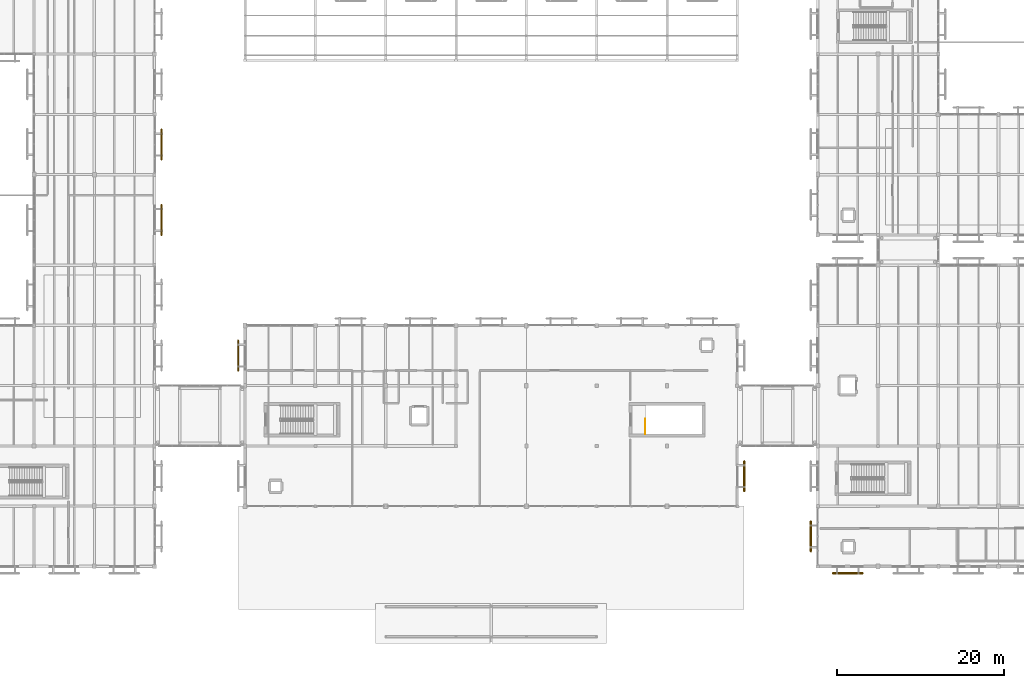
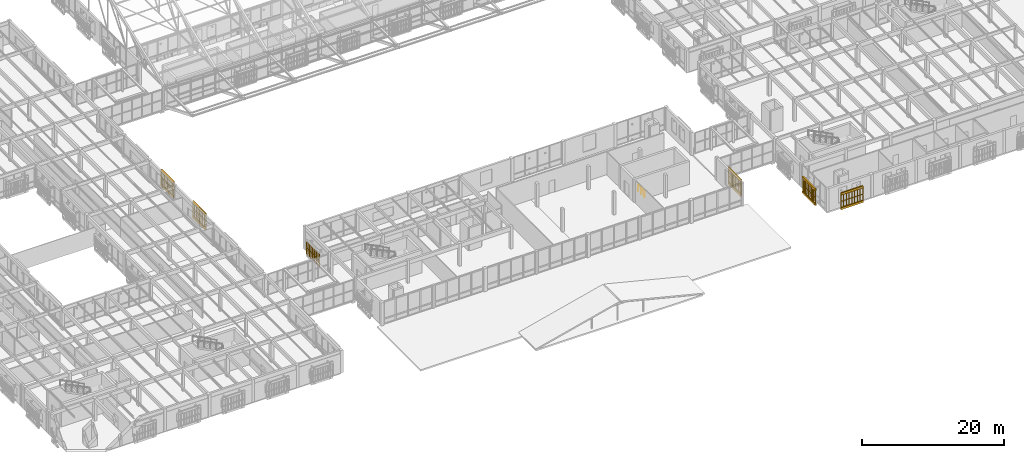
# One storey, part 201 of 217: 13 railings, 10 coverings.
"""IFC4 building model written with IfcOpenShell, lengths in metres."""

from ifc_helpers import new_model, si_unit, direction, frame, origin, origin_2d, place, context, subcontext, project, spatial, polyline, circle, outline, extrude, material, layer, layer_set, type_object, element, save


model = new_model("IFC4")

# Units and contexts
model_context = context("Model", 3, precision=1e-05, world=origin(), true_north=direction((0.0, 1.0)))
body_context = subcontext(model_context, "Body", "Model", "MODEL_VIEW")
ifc_project = project(units=[si_unit("LENGTHUNIT", "METRE"), si_unit("AREAUNIT", "SQUARE_METRE"), si_unit("VOLUMEUNIT", "CUBIC_METRE"), si_unit("PLANEANGLEUNIT", "RADIAN"), si_unit("MASSUNIT", "GRAM", prefix="KILO")], contexts=[model_context])

# Site, building, storey
site_placement = place(None, origin())
site = spatial("IfcSite", under=ifc_project, at=site_placement, CompositionType="ELEMENT")
building_placement = place(site_placement, origin())
building = spatial("IfcBuilding", under=site, at=building_placement, Name="Mazaris Harbour Polytechnic", CompositionType="ELEMENT")
storey_placement = place(building_placement, frame((0.0, 0.0, 9.60009765625)))
storey = spatial("IfcBuildingStorey", under=building, at=storey_placement, Name="L02", CompositionType="ELEMENT", Elevation=9.60009765625)

# Railings
ifc_material_1 = material(Name="Perforated Earth-Coloured Terracotta Block", Category="masonry")
railing_type_1 = type_object("IfcRailingType", Name="Perforated Earth-Block Claustra Lattice 1040", PredefinedType="BALUSTRADE", material=ifc_material_1)
for number, where, name in (
    (1, (127.784912109375, 6.3798828125, 0.52001953125), "V2 L02 Lower Perforated Terracotta Block Screen 67"),
    (2, (127.784912109375, 6.3798828125, 1.60986328125), "V2 L02 Upper Perforated Terracotta Block Screen 67"),
):
    element("IfcRailing", number, at=place(storey_placement, frame(where)), inside=storey, type_object=railing_type_1, Name=name, PredefinedType="BALUSTRADE", context=body_context, shape_type="SweptSolid", body=[
        extrude(circle(Radius=0.06982421875, at=origin_2d()), frame((0.0, 0.0, 1.02001953125), z_axis=(-1.0, 0.0, 0.0), x_axis=(0.0, -1.0, 0.0)), (0.0, 0.0, 1.0), 3.599853515625),
        extrude(circle(Radius=0.074951171875, at=origin_2d()), origin(), (0.0, 0.0, 1.0), 0.9501953125),
        extrude(circle(Radius=0.074951171875, at=origin_2d()), frame((-0.449951171875, 0.0, 0.0)), (0.0, 0.0, 1.0), 0.9501953125),
        extrude(circle(Radius=0.074951171875, at=origin_2d()), frame((-0.89990234375, 0.0, 0.0)), (0.0, 0.0, 1.0), 0.9501953125),
        extrude(circle(Radius=0.074951171875, at=origin_2d()), frame((-1.349853515625, 0.0, 0.0)), (0.0, 0.0, 1.0), 0.9501953125),
        extrude(circle(Radius=0.074951171875, at=origin_2d()), frame((-1.7998046875, 0.0, 0.0)), (0.0, 0.0, 1.0), 0.9501953125),
        extrude(circle(Radius=0.074951171875, at=origin_2d()), frame((-2.25, 0.0, 0.0)), (0.0, 0.0, 1.0), 0.9501953125),
        extrude(circle(Radius=0.074951171875, at=origin_2d()), frame((-2.699951171875, 0.0, 0.0)), (0.0, 0.0, 1.0), 0.9501953125),
        extrude(circle(Radius=0.074951171875, at=origin_2d()), frame((-3.14990234375, 0.0, 0.0)), (0.0, 0.0, 1.0), 0.9501953125),
        extrude(circle(Radius=0.074951171875, at=origin_2d()), frame((-3.599853515625, 0.0, 0.0)), (0.0, 0.0, 1.0), 0.9501953125),
    ])
for number, where, name in (
    (3, (121.580078125, 8.989990234375, 0.52001953125), "V2 L02 Lower Perforated Terracotta Block Screen 80"),
    (4, (121.580078125, 8.989990234375, 1.60986328125), "V2 L02 Upper Perforated Terracotta Block Screen 80"),
    (5, (53.179931640625, 30.5849609375, 0.52001953125), "V3 L02 Lower Perforated Terracotta Block Screen 129"),
    (6, (53.179931640625, 30.5849609375, 1.60986328125), "V3 L02 Upper Perforated Terracotta Block Screen 129"),
):
    element("IfcRailing", number, at=place(storey_placement, frame(where)), inside=storey, type_object=railing_type_1, Name=name, PredefinedType="BALUSTRADE", context=body_context, shape_type="SweptSolid", body=[
        extrude(circle(Radius=0.06982421875, at=origin_2d()), frame((0.0, 0.0, 1.02001953125), z_axis=(0.0, 1.0, 0.0), x_axis=(-1.0, 0.0, 0.0)), (0.0, 0.0, 1.0), 3.60009765625),
        extrude(circle(Radius=0.074951171875, at=origin_2d()), origin(), (0.0, 0.0, 1.0), 0.9501953125),
        extrude(circle(Radius=0.074951171875, at=origin_2d()), frame((0.0, 0.39990234375, 0.0)), (0.0, 0.0, 1.0), 0.9501953125),
        extrude(circle(Radius=0.074951171875, at=origin_2d()), frame((0.0, 0.800048828125, 0.0)), (0.0, 0.0, 1.0), 0.9501953125),
        extrude(circle(Radius=0.074951171875, at=origin_2d()), frame((0.0, 1.199951171875, 0.0)), (0.0, 0.0, 1.0), 0.9501953125),
        extrude(circle(Radius=0.074951171875, at=origin_2d()), frame((0.0, 1.60009765625, 0.0)), (0.0, 0.0, 1.0), 0.9501953125),
        extrude(circle(Radius=0.074951171875, at=origin_2d()), frame((0.0, 2.0, 0.0)), (0.0, 0.0, 1.0), 0.9501953125),
        extrude(circle(Radius=0.074951171875, at=origin_2d()), frame((0.0, 2.400146484375, 0.0)), (0.0, 0.0, 1.0), 0.9501953125),
        extrude(circle(Radius=0.074951171875, at=origin_2d()), frame((0.0, 2.800048828125, 0.0)), (0.0, 0.0, 1.0), 0.9501953125),
        extrude(circle(Radius=0.074951171875, at=origin_2d()), frame((0.0, 3.2001953125, 0.0)), (0.0, 0.0, 1.0), 0.9501953125),
        extrude(circle(Radius=0.074951171875, at=origin_2d()), frame((0.0, 3.60009765625, 0.0)), (0.0, 0.0, 1.0), 0.9501953125),
    ])
for number, where, name in (
    (7, (113.6201171875, 19.7900390625, 0.52001953125), "V3 L02 Lower Perforated Terracotta Block Screen 130"),
    (8, (113.6201171875, 19.7900390625, 1.60986328125), "V3 L02 Upper Perforated Terracotta Block Screen 130"),
):
    element("IfcRailing", number, at=place(storey_placement, frame(where)), inside=storey, type_object=railing_type_1, Name=name, PredefinedType="BALUSTRADE", context=body_context, shape_type="SweptSolid", body=[
        extrude(circle(Radius=0.06982421875, at=origin_2d()), frame((0.0, 0.0, 1.02001953125), z_axis=(0.0, -1.0, 0.0), x_axis=(1.0, 0.0, 0.0)), (0.0, 0.0, 1.0), 3.60009765625),
        extrude(circle(Radius=0.074951171875, at=origin_2d()), origin(), (0.0, 0.0, 1.0), 0.9501953125),
        extrude(circle(Radius=0.074951171875, at=origin_2d()), frame((0.0, -0.39990234375, 0.0)), (0.0, 0.0, 1.0), 0.9501953125),
        extrude(circle(Radius=0.074951171875, at=origin_2d()), frame((0.0, -0.800048828125, 0.0)), (0.0, 0.0, 1.0), 0.9501953125),
        extrude(circle(Radius=0.074951171875, at=origin_2d()), frame((0.0, -1.199951171875, 0.0)), (0.0, 0.0, 1.0), 0.9501953125),
        extrude(circle(Radius=0.074951171875, at=origin_2d()), frame((0.0, -1.60009765625, 0.0)), (0.0, 0.0, 1.0), 0.9501953125),
        extrude(circle(Radius=0.074951171875, at=origin_2d()), frame((0.0, -2.0, 0.0)), (0.0, 0.0, 1.0), 0.9501953125),
        extrude(circle(Radius=0.074951171875, at=origin_2d()), frame((0.0, -2.400146484375, 0.0)), (0.0, 0.0, 1.0), 0.9501953125),
        extrude(circle(Radius=0.074951171875, at=origin_2d()), frame((0.0, -2.800048828125, 0.0)), (0.0, 0.0, 1.0), 0.9501953125),
        extrude(circle(Radius=0.074951171875, at=origin_2d()), frame((0.0, -3.2001953125, 0.0)), (0.0, 0.0, 1.0), 0.9501953125),
        extrude(circle(Radius=0.074951171875, at=origin_2d()), frame((0.0, -3.60009765625, 0.0)), (0.0, 0.0, 1.0), 0.9501953125),
    ])
for number, where, name in (
    (9, (44.02001953125, 50.389892578125, 0.52001953125), "V4 L02 Lower Perforated Terracotta Block Screen 229"),
    (10, (44.02001953125, 50.389892578125, 1.60986328125), "V4 L02 Upper Perforated Terracotta Block Screen 229"),
    (11, (44.02001953125, 59.389892578125, 0.52001953125), "V4 L02 Lower Perforated Terracotta Block Screen 230"),
    (12, (44.02001953125, 59.389892578125, 1.60986328125), "V4 L02 Upper Perforated Terracotta Block Screen 230"),
):
    element("IfcRailing", number, at=place(storey_placement, frame(where)), inside=storey, type_object=railing_type_1, Name=name, PredefinedType="BALUSTRADE", context=body_context, shape_type="SweptSolid", body=[
        extrude(circle(Radius=0.06982421875, at=origin_2d()), frame((0.0, 0.0, 1.02001953125), z_axis=(0.0, -1.0, 0.0), x_axis=(1.0, 0.0, 0.0)), (0.0, 0.0, 1.0), 3.599853515625),
        extrude(circle(Radius=0.074951171875, at=origin_2d()), origin(), (0.0, 0.0, 1.0), 0.9501953125),
        extrude(circle(Radius=0.074951171875, at=origin_2d()), frame((0.0, -0.449951171875, 0.0)), (0.0, 0.0, 1.0), 0.9501953125),
        extrude(circle(Radius=0.074951171875, at=origin_2d()), frame((0.0, -0.89990234375, 0.0)), (0.0, 0.0, 1.0), 0.9501953125),
        extrude(circle(Radius=0.074951171875, at=origin_2d()), frame((0.0, -1.349853515625, 0.0)), (0.0, 0.0, 1.0), 0.9501953125),
        extrude(circle(Radius=0.074951171875, at=origin_2d()), frame((0.0, -1.7998046875, 0.0)), (0.0, 0.0, 1.0), 0.9501953125),
        extrude(circle(Radius=0.074951171875, at=origin_2d()), frame((0.0, -2.25, 0.0)), (0.0, 0.0, 1.0), 0.9501953125),
        extrude(circle(Radius=0.074951171875, at=origin_2d()), frame((0.0, -2.699951171875, 0.0)), (0.0, 0.0, 1.0), 0.9501953125),
        extrude(circle(Radius=0.074951171875, at=origin_2d()), frame((0.0, -3.14990234375, 0.0)), (0.0, 0.0, 1.0), 0.9501953125),
        extrude(circle(Radius=0.074951171875, at=origin_2d()), frame((0.0, -3.599853515625, 0.0)), (0.0, 0.0, 1.0), 0.9501953125),
    ])
ifc_material_2 = material(Name="Steel S355", Category="steel")
railing_type_2 = type_object("IfcRailingType", Name="Stair Well Guardrail 1100", PredefinedType="GUARDRAIL", material=ifc_material_2)
railing_placement = place(storey_placement, frame((101.800048828125, 23.0, 0.0)))
element("IfcRailing", 13, at=railing_placement, inside=storey, type_object=railing_type_2, Name="L02 ST06 top well guard 1", PredefinedType="GUARDRAIL", context=body_context, shape_type="SweptSolid", body=[
    extrude(circle(Radius=0.02392578125, at=origin_2d()), frame((0.0, 0.0, 1.076171875), z_axis=(0.0, 1.0, 0.0), x_axis=(-1.0, 0.0, 0.0)), (0.0, 0.0, 1.0), 1.800048828125),
    extrude(circle(Radius=0.02099609375, at=origin_2d()), origin(), (0.0, 0.0, 1.0), 1.052001953125),
    extrude(circle(Radius=0.02099609375, at=origin_2d()), frame((0.0, 0.89990234375, 0.0)), (0.0, 0.0, 1.0), 1.052001953125),
    extrude(circle(Radius=0.02099609375, at=origin_2d()), frame((0.0, 1.800048828125, 0.0)), (0.0, 0.0, 1.0), 1.052001953125),
])

# Coverings
ifc_material_3 = material(Name="Perforated Earth-Coloured Terracotta Block", Category="masonry")
ifc_layer = layer(ifc_material_3, 0.219970703125, Name="Perforated Earth-Coloured Terracotta Block")
ifc_layer_set = layer_set([ifc_layer], Name="Perforated Earth-Coloured Terracotta Block")
covering_type = type_object("IfcCoveringType", Name="Terracotta Screen Course Cladding 220", PredefinedType="CLADDING", material=ifc_layer_set)
covering_1_placement = place(storey_placement, frame((0.0, 0.0, 0.159912109375)))
element("IfcCovering", 14, at=covering_1_placement, inside=storey, type_object=covering_type, Name="V2 L02 Perforated Screen Sill Course 67", PredefinedType="CLADDING", context=body_context, shape_type="SweptSolid", body=[
    extrude(outline(polyline([(127.784912109375, 6.489990234375), (124.18505859375, 6.489990234375), (124.18505859375, 6.27001953125), (127.784912109375, 6.27001953125), (127.784912109375, 6.489990234375)])), origin(), (0.0, 0.0, 1.0), 0.360107421875),
])
covering_2_placement = place(storey_placement, frame((0.0, 0.0, 2.699951171875)))
element("IfcCovering", 15, at=covering_2_placement, inside=storey, type_object=covering_type, Name="V2 L02 Perforated Screen Lintel Course 67", PredefinedType="CLADDING", context=body_context, shape_type="SweptSolid", body=[
    extrude(outline(polyline([(127.784912109375, 6.489990234375), (124.18505859375, 6.489990234375), (124.18505859375, 6.27001953125), (127.784912109375, 6.27001953125), (127.784912109375, 6.489990234375)])), origin(), (0.0, 0.0, 1.0), 0.33984375),
])
covering_3_placement = place(storey_placement, frame((0.0, 0.0, 0.159912109375)))
element("IfcCovering", 16, at=covering_3_placement, inside=storey, type_object=covering_type, Name="V2 L02 Perforated Screen Sill Course 80", PredefinedType="CLADDING", context=body_context, shape_type="SweptSolid", body=[
    extrude(outline(polyline([(121.68994140625, 8.989990234375), (121.68994140625, 12.590087890625), (121.469970703125, 12.590087890625), (121.469970703125, 8.989990234375), (121.68994140625, 8.989990234375)])), origin(), (0.0, 0.0, 1.0), 0.360107421875),
])
covering_4_placement = place(storey_placement, frame((0.0, 0.0, 2.699951171875)))
element("IfcCovering", 17, at=covering_4_placement, inside=storey, type_object=covering_type, Name="V2 L02 Perforated Screen Lintel Course 80", PredefinedType="CLADDING", context=body_context, shape_type="SweptSolid", body=[
    extrude(outline(polyline([(121.68994140625, 8.989990234375), (121.68994140625, 12.590087890625), (121.469970703125, 12.590087890625), (121.469970703125, 8.989990234375), (121.68994140625, 8.989990234375)])), origin(), (0.0, 0.0, 1.0), 0.33984375),
])
covering_5_placement = place(storey_placement, frame((0.0, 0.0, 0.159912109375)))
element("IfcCovering", 18, at=covering_5_placement, inside=storey, type_object=covering_type, Name="V3 L02 Perforated Screen Sill Course 130", PredefinedType="CLADDING", context=body_context, shape_type="SweptSolid", body=[
    extrude(outline(polyline([(113.510009765625, 19.7900390625), (113.510009765625, 16.18994140625), (113.72998046875, 16.18994140625), (113.72998046875, 19.7900390625), (113.510009765625, 19.7900390625)])), origin(), (0.0, 0.0, 1.0), 0.360107421875),
])
covering_6_placement = place(storey_placement, frame((0.0, 0.0, 2.699951171875)))
element("IfcCovering", 19, at=covering_6_placement, inside=storey, type_object=covering_type, Name="V3 L02 Perforated Screen Lintel Course 130", PredefinedType="CLADDING", context=body_context, shape_type="SweptSolid", body=[
    extrude(outline(polyline([(113.510009765625, 19.7900390625), (113.510009765625, 16.18994140625), (113.72998046875, 16.18994140625), (113.72998046875, 19.7900390625), (113.510009765625, 19.7900390625)])), origin(), (0.0, 0.0, 1.0), 0.33984375),
])
covering_7_placement = place(storey_placement, frame((0.0, 0.0, 0.159912109375)))
element("IfcCovering", 20, at=covering_7_placement, inside=storey, type_object=covering_type, Name="V4 L02 Perforated Screen Sill Course 229", PredefinedType="CLADDING", context=body_context, shape_type="SweptSolid", body=[
    extrude(outline(polyline([(43.909912109375, 50.389892578125), (43.909912109375, 46.7900390625), (44.1298828125, 46.7900390625), (44.1298828125, 50.389892578125), (43.909912109375, 50.389892578125)])), origin(), (0.0, 0.0, 1.0), 0.360107421875),
])
covering_8_placement = place(storey_placement, frame((0.0, 0.0, 2.699951171875)))
element("IfcCovering", 21, at=covering_8_placement, inside=storey, type_object=covering_type, Name="V4 L02 Perforated Screen Lintel Course 229", PredefinedType="CLADDING", context=body_context, shape_type="SweptSolid", body=[
    extrude(outline(polyline([(43.909912109375, 50.389892578125), (43.909912109375, 46.7900390625), (44.1298828125, 46.7900390625), (44.1298828125, 50.389892578125), (43.909912109375, 50.389892578125)])), origin(), (0.0, 0.0, 1.0), 0.33984375),
])
covering_9_placement = place(storey_placement, frame((0.0, 0.0, 0.159912109375)))
element("IfcCovering", 22, at=covering_9_placement, inside=storey, type_object=covering_type, Name="V4 L02 Perforated Screen Sill Course 230", PredefinedType="CLADDING", context=body_context, shape_type="SweptSolid", body=[
    extrude(outline(polyline([(43.909912109375, 59.389892578125), (43.909912109375, 55.7900390625), (44.1298828125, 55.7900390625), (44.1298828125, 59.389892578125), (43.909912109375, 59.389892578125)])), origin(), (0.0, 0.0, 1.0), 0.360107421875),
])
covering_10_placement = place(storey_placement, frame((0.0, 0.0, 2.699951171875)))
element("IfcCovering", 23, at=covering_10_placement, inside=storey, type_object=covering_type, Name="V4 L02 Perforated Screen Lintel Course 230", PredefinedType="CLADDING", context=body_context, shape_type="SweptSolid", body=[
    extrude(outline(polyline([(43.909912109375, 59.389892578125), (43.909912109375, 55.7900390625), (44.1298828125, 55.7900390625), (44.1298828125, 59.389892578125), (43.909912109375, 59.389892578125)])), origin(), (0.0, 0.0, 1.0), 0.33984375),
])

save(model, "model.ifc")
